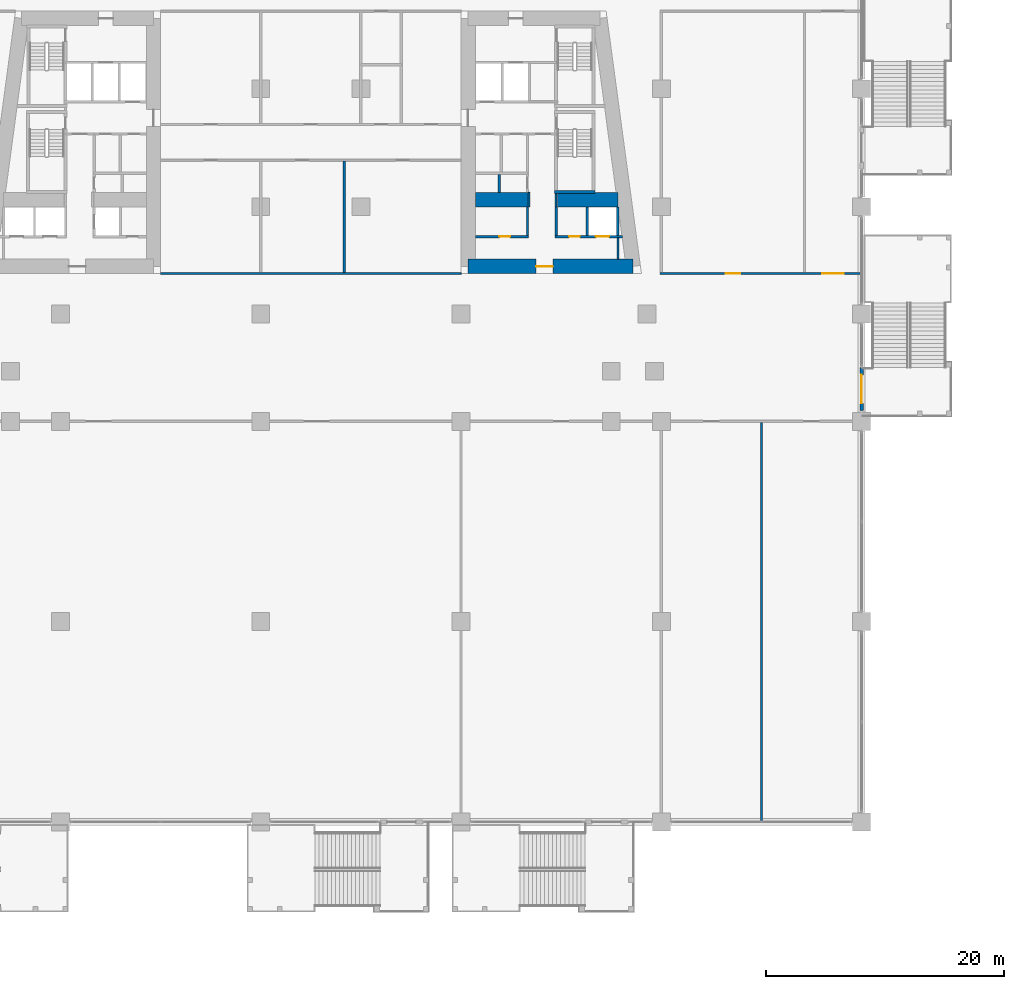
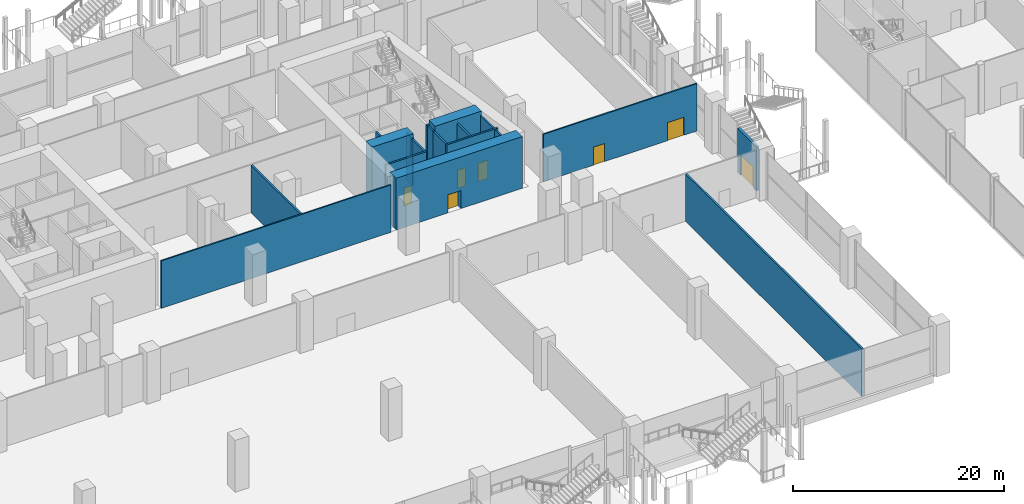
# One storey, part 24 of 49: 19 walls, 7 doors, 7 openings.
"""IFC4 building model written with IfcOpenShell, lengths in metres."""

from ifc_helpers import new_model, si_unit, direction, frame, frame_2d, origin, place, context, subcontext, project, spatial, rectangle, extrude, material, layer, layer_set, type_object, element, fill, save


model = new_model("IFC4")

# Units and contexts
model_context = context("Model", 3, precision=1e-05, world=origin(), true_north=direction((0.0, 1.0)))
body_context = subcontext(model_context, "Body", "Model", "MODEL_VIEW")
ifc_project = project(units=[si_unit("LENGTHUNIT", "METRE"), si_unit("AREAUNIT", "SQUARE_METRE"), si_unit("VOLUMEUNIT", "CUBIC_METRE"), si_unit("PLANEANGLEUNIT", "RADIAN"), si_unit("MASSUNIT", "GRAM", prefix="KILO")], contexts=[model_context])

# Site, building, storey
site_placement = place(None, origin())
site = spatial("IfcSite", under=ifc_project, at=site_placement, CompositionType="ELEMENT")
building_placement = place(site_placement, origin())
building = spatial("IfcBuilding", under=site, at=building_placement, Name="Candeia Pilgrim Tower and Theatre", CompositionType="ELEMENT")
storey_placement = place(building_placement, frame((0.0, 0.0, 17.0)))
storey = spatial("IfcBuildingStorey", under=building, at=storey_placement, Name="L02", CompositionType="ELEMENT", Elevation=17.0)

# Wall, opening, door
ifc_material_1 = material(Name="Concrete C80/95", Category="concrete")
ifc_layer_1 = layer(ifc_material_1, 1.199951171875)
ifc_layer_set_1 = layer_set([ifc_layer_1], Name="Core wall 1200 C80/95")
wall_type_1 = type_object("IfcWallType", Name="Core wall 1200 C80/95", PredefinedType="SHEAR", material=ifc_layer_set_1)
wall_1_placement = place(storey_placement, frame((140.444580078125, 111.0, 0.0), z_axis=(0.0, 0.0, 1.0), x_axis=(-1.0, 0.0, 0.0)))
wall_1 = element("IfcWall", 1, at=wall_1_placement, inside=storey, type_object=wall_type_1, Name="Core wall E3", PredefinedType="SHEAR", context=body_context, shape_type="SweptSolid", body=[
    extrude(rectangle(XDim=13.844482421875, YDim=1.199951171875, at=frame_2d((6.92236328125, 0.0))), origin(), (0.0, 0.0, 1.0), 6.0),
])
opening_1_placement = place(wall_1_placement, frame((6.751220703125, 0.0, 0.0)))
opening_1 = element("IfcOpeningElement", 2, at=opening_1_placement, cuts=wall_1, Name="Opening L02-D048", PredefinedType="OPENING", context=body_context, shape_type="SweptSolid", body=[
    extrude(rectangle(XDim=1.39990234375, YDim=2.10009765625, at=frame_2d((0.699951171875, 1.050048828125))), frame((0.0, 0.60986328125, 0.0), z_axis=(0.0, -1.0, 0.0), x_axis=(1.0, 0.0, 0.0)), (0.0, 0.0, 1.0), 1.219970703125),
])
ifc_material_2 = material(Name="Steel fire door set", Category="steel")
door_type_1 = type_object("IfcDoorType", Name="D-1400-FD60", OperationType="NOTDEFINED", PredefinedType="DOOR", material=ifc_material_2)
door_1_placement = place(opening_1_placement, origin())
door_1 = element("IfcDoor", 3, at=door_1_placement, inside=storey, type_object=door_type_1, Name="Door L02-D048", OperationType="SINGLE_SWING_RIGHT", OverallHeight=2.10009765625, OverallWidth=1.39990234375, PredefinedType="DOOR", context=body_context, shape_type="SweptSolid", body=[
    extrude(rectangle(XDim=1.39990234375, YDim=2.10009765625, at=frame_2d((0.699951171875, 1.050048828125))), frame((0.0, 0.02490234375, 0.0), z_axis=(0.0, -1.0, 0.0), x_axis=(1.0, 0.0, 0.0)), (0.0, 0.0, 1.0), 0.050048828125),
])
fill(opening_1, door_1)

# Walls
wall_2_placement = place(storey_placement, frame((127.199951171875, 116.60009765625, 0.0), z_axis=(0.0, 0.0, 1.0), x_axis=(1.0, 0.0, 0.0)))
element("IfcWall", 4, at=wall_2_placement, inside=storey, type_object=wall_type_1, Name="Core wall E5", PredefinedType="SHEAR", context=body_context, shape_type="SweptSolid", body=[
    extrude(rectangle(XDim=4.5, YDim=1.199951171875, at=frame_2d((2.25, 0.0))), origin(), (0.0, 0.0, 1.0), 6.0),
])
wall_3_placement = place(storey_placement, frame((134.10009765625, 116.60009765625, 0.0), z_axis=(0.0, 0.0, 1.0), x_axis=(1.0, 0.0, 0.0)))
element("IfcWall", 5, at=wall_3_placement, inside=storey, type_object=wall_type_1, Name="Core wall E6", PredefinedType="SHEAR", context=body_context, shape_type="SweptSolid", body=[
    extrude(rectangle(XDim=5.076904296875, YDim=1.199951171875, at=frame_2d((2.53857421875, 0.0))), origin(), (0.0, 0.0, 1.0), 6.0),
])

# Wall, opening, door
ifc_material_3 = material(Name="Ceramic block masonry", Category="masonry")
ifc_layer_2 = layer(ifc_material_3, 0.300048828125)
ifc_layer_set_2 = layer_set([ifc_layer_2], Name="EW2 entrance infill wall 300")
wall_type_2 = type_object("IfcWallType", Name="EW2 entrance infill wall 300", PredefinedType="SOLIDWALL", material=ifc_layer_set_2)
wall_4_placement = place(storey_placement, frame((159.60009765625, 102.5, 0.0), z_axis=(0.0, 0.0, 1.0), x_axis=(0.0, -1.0, 0.0)))
wall_4 = element("IfcWall", 6, at=wall_4_placement, inside=storey, type_object=wall_type_2, Name="Entrance wall L02", PredefinedType="SOLIDWALL", context=body_context, shape_type="SweptSolid", body=[
    extrude(rectangle(XDim=3.60009765625, YDim=0.300048828125, at=frame_2d((1.800048828125, 0.0))), origin(), (0.0, 0.0, 1.0), 5.10009765625),
])
opening_2_placement = place(wall_4_placement, frame((0.60009765625, 0.0, 0.0)))
opening_2 = element("IfcOpeningElement", 7, at=opening_2_placement, cuts=wall_4, Name="Opening L02-ED055", PredefinedType="OPENING", context=body_context, shape_type="SweptSolid", body=[
    extrude(rectangle(XDim=2.39990234375, YDim=2.39990234375, at=frame_2d((1.199951171875, 1.199951171875))), frame((0.0, 0.16015625, 0.0), z_axis=(0.0, -1.0, 0.0), x_axis=(1.0, 0.0, 0.0)), (0.0, 0.0, 1.0), 0.320068359375),
])
ifc_material_4 = material(Name="Aluminium framed glazed door", Category="aluminium")
door_type_2 = type_object("IfcDoorType", Name="ED entrance double door 2400x2400", OperationType="DOUBLE_DOOR_DOUBLE_SWING", PredefinedType="DOOR", material=ifc_material_4)
door_2_placement = place(opening_2_placement, origin())
door_2 = element("IfcDoor", 8, at=door_2_placement, inside=storey, type_object=door_type_2, Name="Entrance door L02-ED055", OperationType="DOUBLE_DOOR_DOUBLE_SWING", OverallHeight=2.39990234375, OverallWidth=2.39990234375, PredefinedType="DOOR", context=body_context, shape_type="SweptSolid", body=[
    extrude(rectangle(XDim=2.39990234375, YDim=2.39990234375, at=frame_2d((1.199951171875, 1.199951171875))), frame((0.0, 0.02490234375, 0.0), z_axis=(0.0, -1.0, 0.0), x_axis=(1.0, 0.0, 0.0)), (0.0, 0.0, 1.0), 0.050048828125),
])
fill(opening_2, door_2)

# Wall
ifc_material_5 = material(Name="Gypsum board partition on steel studs", Category="steel")
ifc_layer_3 = layer(ifc_material_5, 0.14990234375)
ifc_layer_set_3 = layer_set([ifc_layer_3], Name="PW-150 lobby wall")
wall_type_3 = type_object("IfcWallType", Name="PW-150 lobby wall", PredefinedType="PARTITIONING", material=ifc_layer_set_3)
wall_5_placement = place(storey_placement, frame((100.800048828125, 110.39990234375, 0.0), z_axis=(0.0, 0.0, 1.0), x_axis=(1.0, 0.0, 0.0)))
element("IfcWall", 9, at=wall_5_placement, inside=storey, type_object=wall_type_3, Name="Lobby wall L02-003", PredefinedType="PARTITIONING", context=body_context, shape_type="SweptSolid", body=[
    extrude(rectangle(XDim=25.199951171875, YDim=0.14990234375, at=frame_2d((12.60009765625, 0.0))), origin(), (0.0, 0.0, 1.0), 5.5),
])

# Wall, openings, doors
wall_6_placement = place(storey_placement, frame((142.699951171875, 110.39990234375, 0.0), z_axis=(0.0, 0.0, 1.0), x_axis=(1.0, 0.0, 0.0)))
wall_6 = element("IfcWall", 10, at=wall_6_placement, inside=storey, type_object=wall_type_3, Name="Lobby wall L02-004", PredefinedType="PARTITIONING", context=body_context, shape_type="SweptSolid", body=[
    extrude(rectangle(XDim=16.85009765625, YDim=0.14990234375, at=frame_2d((8.425048828125, 0.0))), origin(), (0.0, 0.0, 1.0), 5.5),
])
opening_3_placement = place(wall_6_placement, frame((5.5, 0.0, 0.0)))
opening_3 = element("IfcOpeningElement", 11, at=opening_3_placement, cuts=wall_6, Name="Opening L02-D009", PredefinedType="OPENING", context=body_context, shape_type="SweptSolid", body=[
    extrude(rectangle(XDim=1.199951171875, YDim=2.10009765625, at=frame_2d((0.60009765625, 1.050048828125))), frame((0.0, 0.0849609375, 0.0), z_axis=(0.0, -1.0, 0.0), x_axis=(1.0, 0.0, 0.0)), (0.0, 0.0, 1.0), 0.169921875),
])
opening_4_placement = place(wall_6_placement, frame((13.60009765625, 0.0, 0.0)))
opening_4 = element("IfcOpeningElement", 12, at=opening_4_placement, cuts=wall_6, Name="Opening L02-D028", PredefinedType="OPENING", context=body_context, shape_type="SweptSolid", body=[
    extrude(rectangle(XDim=1.800048828125, YDim=2.10009765625, at=frame_2d((0.89990234375, 1.050048828125))), frame((0.0, 0.0849609375, 0.0), z_axis=(0.0, -1.0, 0.0), x_axis=(1.0, 0.0, 0.0)), (0.0, 0.0, 1.0), 0.169921875),
])
door_type_3 = type_object("IfcDoorType", Name="D-1200-FD30S", OperationType="NOTDEFINED", PredefinedType="DOOR", material=ifc_material_2)
door_3_placement = place(opening_3_placement, origin())
door_3 = element("IfcDoor", 13, at=door_3_placement, inside=storey, type_object=door_type_3, Name="Door L02-D009", OperationType="SINGLE_SWING_LEFT", OverallHeight=2.10009765625, OverallWidth=1.199951171875, PredefinedType="DOOR", context=body_context, shape_type="SweptSolid", body=[
    extrude(rectangle(XDim=1.199951171875, YDim=2.10009765625, at=frame_2d((0.60009765625, 1.050048828125))), frame((0.0, 0.02490234375, 0.0), z_axis=(0.0, -1.0, 0.0), x_axis=(1.0, 0.0, 0.0)), (0.0, 0.0, 1.0), 0.050048828125),
])
fill(opening_3, door_3)
door_type_4 = type_object("IfcDoorType", Name="D-1800-FD60", OperationType="NOTDEFINED", PredefinedType="DOOR", material=ifc_material_2)
door_4_placement = place(opening_4_placement, origin())
door_4 = element("IfcDoor", 14, at=door_4_placement, inside=storey, type_object=door_type_4, Name="Door L02-D028", OperationType="SINGLE_SWING_RIGHT", OverallHeight=2.10009765625, OverallWidth=1.800048828125, PredefinedType="DOOR", context=body_context, shape_type="SweptSolid", body=[
    extrude(rectangle(XDim=1.800048828125, YDim=2.10009765625, at=frame_2d((0.89990234375, 1.050048828125))), frame((0.0, 0.02490234375, 0.0), z_axis=(0.0, -1.0, 0.0), x_axis=(1.0, 0.0, 0.0)), (0.0, 0.0, 1.0), 0.050048828125),
])
fill(opening_4, door_4)

# Walls
wall_7_placement = place(storey_placement, frame((131.699951171875, 116.0, 0.0), z_axis=(0.0, 0.0, 1.0), x_axis=(0.0, 1.0, 0.0)))
element("IfcWall", 15, at=wall_7_placement, inside=storey, type_object=wall_type_3, Name="Lobby wall L02-081", PredefinedType="PARTITIONING", context=body_context, shape_type="SweptSolid", body=[
    extrude(rectangle(XDim=1.199951171875, YDim=0.14990234375, at=frame_2d((0.60009765625, 0.0))), origin(), (0.0, 0.0, 1.0), 5.5),
])
wall_8_placement = place(storey_placement, frame((133.972900390625, 116.0, 0.0), z_axis=(0.0, 0.0, 1.0), x_axis=(0.0, 1.0, 0.0)))
element("IfcWall", 16, at=wall_8_placement, inside=storey, type_object=wall_type_3, Name="Lobby wall L02-084", PredefinedType="PARTITIONING", context=body_context, shape_type="SweptSolid", body=[
    extrude(rectangle(XDim=1.074951171875, YDim=0.14990234375, at=frame_2d((0.53759765625, 0.0))), origin(), (0.0, 0.0, 1.0), 5.5),
])
wall_9_placement = place(storey_placement, frame((139.1689453125, 111.60009765625, 0.0), z_axis=(0.0, 0.0, 1.0), x_axis=(0.0, 1.0, 0.0)))
element("IfcWall", 17, at=wall_9_placement, inside=storey, type_object=wall_type_3, Name="Lobby wall L02-092", PredefinedType="PARTITIONING", context=body_context, shape_type="SweptSolid", body=[
    extrude(rectangle(XDim=1.7998046875, YDim=0.14990234375, at=frame_2d((0.89990234375, 0.0))), origin(), (0.0, 0.0, 1.0), 5.5),
])
ifc_layer_4 = layer(ifc_material_5, 0.199951171875)
ifc_layer_set_4 = layer_set([ifc_layer_4], Name="PW-200 party wall")
wall_type_4 = type_object("IfcWallType", Name="PW-200 party wall", PredefinedType="PARTITIONING", material=ifc_layer_set_4)
wall_10_placement = place(storey_placement, frame((116.199951171875, 110.47509765625, 0.0), z_axis=(0.0, 0.0, 1.0), x_axis=(0.0, 1.0, 0.0)))
element("IfcWall", 18, at=wall_10_placement, inside=storey, type_object=wall_type_4, Name="Party wall L02-071", PredefinedType="PARTITIONING", context=body_context, shape_type="SweptSolid", body=[
    extrude(rectangle(XDim=9.349853515625, YDim=0.199951171875, at=frame_2d((4.6748046875, 0.0))), origin(), (0.0, 0.0, 1.0), 5.5),
])
wall_11_placement = place(storey_placement, frame((151.199951171875, 64.449951171875, 0.0), z_axis=(0.0, 0.0, 1.0), x_axis=(0.0, 1.0, 0.0)))
element("IfcWall", 19, at=wall_11_placement, inside=storey, type_object=wall_type_4, Name="Party wall L02-099", PredefinedType="PARTITIONING", context=body_context, shape_type="SweptSolid", body=[
    extrude(rectangle(XDim=33.47509765625, YDim=0.199951171875, at=frame_2d((16.737548828125, 0.0))), origin(), (0.0, 0.0, 1.0), 5.5),
])

# Wall, opening, door
ifc_material_6 = material(Name="Concrete C40/50", Category="concrete")
ifc_layer_5 = layer(ifc_material_6, 0.199951171875)
ifc_layer_set_5 = layer_set([ifc_layer_5], Name="SW-200 shaft wall")
wall_type_5 = type_object("IfcWallType", Name="SW-200 shaft wall", PredefinedType="PARTITIONING", material=ifc_layer_set_5)
wall_12_placement = place(storey_placement, frame((127.199951171875, 113.5, 0.0), z_axis=(0.0, 0.0, 1.0), x_axis=(1.0, 0.0, 0.0)))
wall_12 = element("IfcWall", 20, at=wall_12_placement, inside=storey, type_object=wall_type_5, Name="Shaft wall L02-007", PredefinedType="PARTITIONING", context=body_context, shape_type="SweptSolid", body=[
    extrude(rectangle(XDim=4.47314453125, YDim=0.199951171875, at=frame_2d((2.236572265625, 0.0))), origin(), (0.0, 0.0, 1.0), 5.5),
])
opening_5_placement = place(wall_12_placement, frame((2.013916015625, 0.0, 0.0)))
opening_5 = element("IfcOpeningElement", 21, at=opening_5_placement, cuts=wall_12, Name="Opening L02-D044", PredefinedType="OPENING", context=body_context, shape_type="SweptSolid", body=[
    extrude(rectangle(XDim=0.89990234375, YDim=2.10009765625, at=frame_2d((0.449951171875, 1.050048828125))), frame((0.0, 0.10986328125, 0.0), z_axis=(0.0, -1.0, 0.0), x_axis=(1.0, 0.0, 0.0)), (0.0, 0.0, 1.0), 0.219970703125),
])
door_type_5 = type_object("IfcDoorType", Name="D-900-FD60", OperationType="NOTDEFINED", PredefinedType="DOOR", material=ifc_material_2)
door_5_placement = place(opening_5_placement, origin())
door_5 = element("IfcDoor", 22, at=door_5_placement, inside=storey, type_object=door_type_5, Name="Door L02-D044", OperationType="SINGLE_SWING_RIGHT", OverallHeight=2.10009765625, OverallWidth=0.89990234375, PredefinedType="DOOR", context=body_context, shape_type="SweptSolid", body=[
    extrude(rectangle(XDim=0.89990234375, YDim=2.10009765625, at=frame_2d((0.449951171875, 1.050048828125))), frame((0.0, 0.02490234375, 0.0), z_axis=(0.0, -1.0, 0.0), x_axis=(1.0, 0.0, 0.0)), (0.0, 0.0, 1.0), 0.050048828125),
])
fill(opening_5, door_5)

# Wall, openings, doors
wall_13_placement = place(storey_placement, frame((133.873046875, 113.5, 0.0), z_axis=(0.0, 0.0, 1.0), x_axis=(1.0, 0.0, 0.0)))
wall_13 = element("IfcWall", 23, at=wall_13_placement, inside=storey, type_object=wall_type_5, Name="Shaft wall L02-008", PredefinedType="PARTITIONING", context=body_context, shape_type="SweptSolid", body=[
    extrude(rectangle(XDim=5.65966796875, YDim=0.199951171875, at=frame_2d((2.829833984375, 0.0))), origin(), (0.0, 0.0, 1.0), 5.5),
])
opening_6_placement = place(wall_13_placement, frame((3.447021484375, 0.0, 0.0)))
opening_6 = element("IfcOpeningElement", 24, at=opening_6_placement, cuts=wall_13, Name="Opening L02-LD08", PredefinedType="OPENING", context=body_context, shape_type="SweptSolid", body=[
    extrude(rectangle(XDim=1.10009765625, YDim=2.10009765625, at=frame_2d((0.550048828125, 1.050048828125))), frame((0.0, 0.10986328125, 0.0), z_axis=(0.0, -1.0, 0.0), x_axis=(1.0, 0.0, 0.0)), (0.0, 0.0, 1.0), 0.219970703125),
])
opening_7_placement = place(wall_13_placement, frame((1.198974609375, 0.0, 0.0)))
opening_7 = element("IfcOpeningElement", 25, at=opening_7_placement, cuts=wall_13, Name="Opening L02-D043", PredefinedType="OPENING", context=body_context, shape_type="SweptSolid", body=[
    extrude(rectangle(XDim=0.89990234375, YDim=2.10009765625, at=frame_2d((0.449951171875, 1.050048828125))), frame((0.0, 0.10986328125, 0.0), z_axis=(0.0, -1.0, 0.0), x_axis=(1.0, 0.0, 0.0)), (0.0, 0.0, 1.0), 0.219970703125),
])
door_6_placement = place(opening_7_placement, origin())
door_6 = element("IfcDoor", 26, at=door_6_placement, inside=storey, type_object=door_type_5, Name="Door L02-D043", OperationType="SINGLE_SWING_LEFT", OverallHeight=2.10009765625, OverallWidth=0.89990234375, PredefinedType="DOOR", context=body_context, shape_type="SweptSolid", body=[
    extrude(rectangle(XDim=0.89990234375, YDim=2.10009765625, at=frame_2d((0.449951171875, 1.050048828125))), frame((0.0, 0.02490234375, 0.0), z_axis=(0.0, -1.0, 0.0), x_axis=(1.0, 0.0, 0.0)), (0.0, 0.0, 1.0), 0.050048828125),
])
fill(opening_7, door_6)
ifc_material_7 = material(Name="Glazed aluminium landing door", Category="aluminium")
door_type_6 = type_object("IfcDoorType", Name="LD-1100-EI120", OperationType="SLIDING_TO_LEFT", PredefinedType="DOOR", material=ifc_material_7)
door_7_placement = place(opening_6_placement, origin())
door_7 = element("IfcDoor", 27, at=door_7_placement, inside=storey, type_object=door_type_6, Name="Landing door 08 L02", OperationType="SLIDING_TO_LEFT", OverallHeight=2.10009765625, OverallWidth=1.10009765625, PredefinedType="DOOR", context=body_context, shape_type="SweptSolid", body=[
    extrude(rectangle(XDim=1.10009765625, YDim=2.10009765625, at=frame_2d((0.550048828125, 1.050048828125))), frame((0.0, 0.02490234375, 0.0), z_axis=(0.0, -1.0, 0.0), x_axis=(1.0, 0.0, 0.0)), (0.0, 0.0, 1.0), 0.050048828125),
])
fill(opening_6, door_7)

# Walls
wall_14_placement = place(storey_placement, frame((129.199951171875, 117.199951171875, 0.0), z_axis=(0.0, 0.0, 1.0), x_axis=(0.0, 1.0, 0.0)))
element("IfcWall", 28, at=wall_14_placement, inside=storey, type_object=wall_type_5, Name="Shaft wall L02-076", PredefinedType="PARTITIONING", context=body_context, shape_type="SweptSolid", body=[
    extrude(rectangle(XDim=1.5, YDim=0.199951171875, at=frame_2d((0.75, 0.0))), origin(), (0.0, 0.0, 1.0), 5.5),
])
for number, where, z_axis, x_axis, name in (
    (29, (131.572998046875, 113.60009765625, 0.0), (0.0, 0.0, 1.0), (0.0, 1.0, 0.0), "Shaft wall L02-079"),
    (30, (133.972900390625, 113.60009765625, 0.0), (0.0, 0.0, 1.0), (0.0, 1.0, 0.0), "Shaft wall L02-083"),
    (31, (136.571044921875, 113.60009765625, 0.0), (0.0, 0.0, 1.0), (0.0, 1.0, 0.0), "Shaft wall L02-088"),
    (32, (139.14697265625, 113.60009765625, 0.0), (0.0, 0.0, 1.0), (0.0, 1.0, 0.0), "Shaft wall L02-091"),
):
    element("IfcWall", number, at=place(storey_placement, frame(where, z_axis=z_axis, x_axis=x_axis)), inside=storey, type_object=wall_type_5, Name=name, PredefinedType="PARTITIONING", context=body_context, shape_type="SweptSolid", body=[
        extrude(rectangle(XDim=2.39990234375, YDim=0.199951171875, at=frame_2d((1.199951171875, 0.0))), origin(), (0.0, 0.0, 1.0), 5.5),
    ])
ifc_layer_6 = layer(ifc_material_6, 0.25)
ifc_layer_set_6 = layer_set([ifc_layer_6], Name="SW-250 stair wall")
wall_type_6 = type_object("IfcWallType", Name="SW-250 stair wall", PredefinedType="PARTITIONING", material=ifc_layer_set_6)
wall_15_placement = place(storey_placement, frame((133.847900390625, 117.2451171875, 0.0), z_axis=(0.0, 0.0, 1.0), x_axis=(1.0, 0.0, 0.0)))
element("IfcWall", 33, at=wall_15_placement, inside=storey, type_object=wall_type_6, Name="Stair wall L02-010", PredefinedType="PARTITIONING", context=body_context, shape_type="SweptSolid", body=[
    extrude(rectangle(XDim=3.400146484375, YDim=0.25, at=frame_2d((1.7001953125, 0.0))), origin(), (0.0, 0.0, 1.0), 5.5),
])

save(model, "model.ifc")
